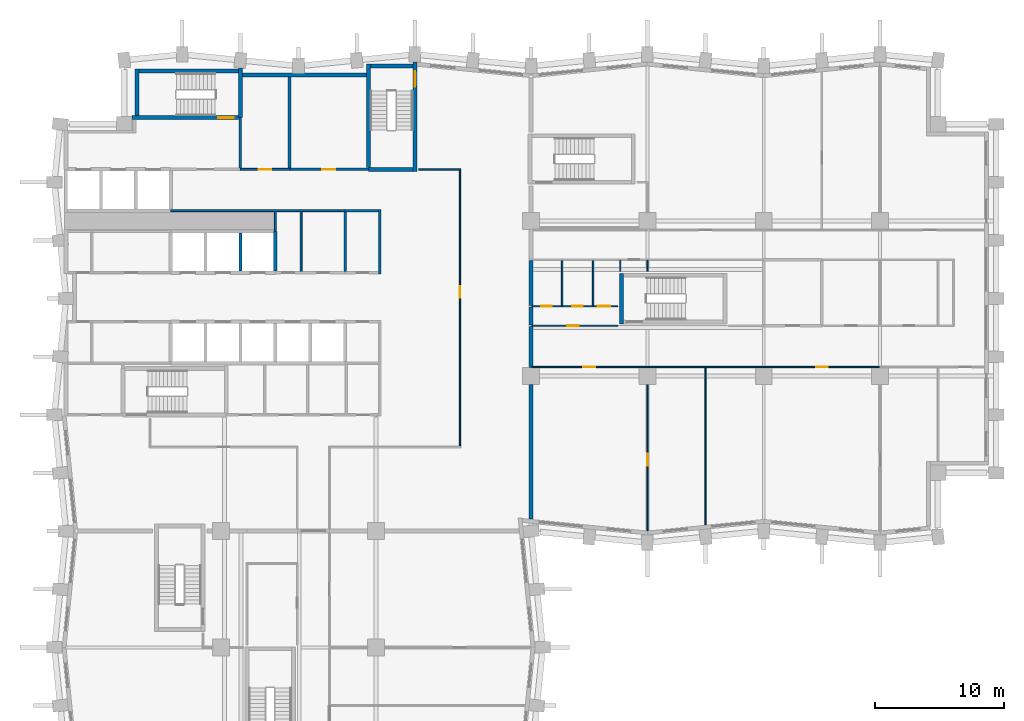
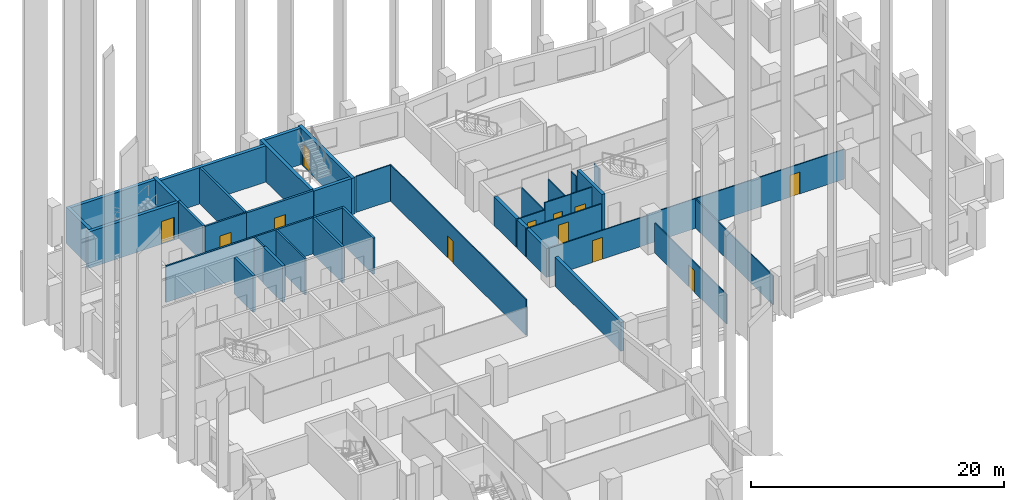
# One storey, part 7 of 12: 41 walls, 12 doors, 12 openings.
"""IFC4 building model written with IfcOpenShell, lengths in metres."""

from ifc_helpers import new_model, si_unit, direction, frame, frame_2d, origin, place, context, subcontext, project, spatial, rectangle, extrude, material, layer, layer_set, type_object, element, fill, save


model = new_model("IFC4")

# Units and contexts
model_context = context("Model", 3, precision=1e-05, world=origin(), true_north=direction((0.0, 1.0)))
body_context = subcontext(model_context, "Body", "Model", "MODEL_VIEW")
ifc_project = project(units=[si_unit("LENGTHUNIT", "METRE"), si_unit("AREAUNIT", "SQUARE_METRE"), si_unit("VOLUMEUNIT", "CUBIC_METRE"), si_unit("PLANEANGLEUNIT", "RADIAN"), si_unit("MASSUNIT", "GRAM", prefix="KILO")], contexts=[model_context])

# Site, building, storey
site_placement = place(None, origin())
site = spatial("IfcSite", under=ifc_project, at=site_placement, CompositionType="ELEMENT")
building_placement = place(site_placement, origin())
building = spatial("IfcBuilding", under=site, at=building_placement, Name="Brondeck Convention Tower", CompositionType="ELEMENT")
storey_placement = place(building_placement, frame((0.0, 0.0, 88.5)))
storey = spatial("IfcBuildingStorey", under=building, at=storey_placement, Name="L20", CompositionType="ELEMENT", Elevation=88.5)

# Walls
ifc_material_1 = material(Name="Concrete compartment wall C30/37", Category="concrete")
ifc_layer_1 = layer(ifc_material_1, 0.300048828125)
ifc_layer_set_1 = layer_set([ifc_layer_1], Name="Compartment wall 300")
wall_type_1 = type_object("IfcWallType", Name="Compartment wall 300", PredefinedType="PARTITIONING", material=ifc_layer_set_1)
wall_1_placement = place(storey_placement, frame((36.0, 27.924560546875, 0.0), z_axis=(0.0, 0.0, 1.0), x_axis=(0.0, 1.0, 0.0)))
element("IfcWall", 1, at=wall_1_placement, inside=storey, type_object=wall_type_1, Name="FLR-L20-W024", PredefinedType="PARTITIONING", context=body_context, shape_type="SweptSolid", body=[
    extrude(rectangle(XDim=10.42041015625, YDim=0.300048828125, at=frame_2d((5.210205078125, 0.0))), origin(), (0.0, 0.0, 1.0), 2.780029296875),
])
wall_2_placement = place(storey_placement, frame((36.0, 39.669921875, 0.0), z_axis=(0.0, 0.0, 1.0), x_axis=(0.0, 1.0, 0.0)))
element("IfcWall", 2, at=wall_2_placement, inside=storey, type_object=wall_type_1, Name="FLR-L20-W038", PredefinedType="PARTITIONING", context=body_context, shape_type="SweptSolid", body=[
    extrude(rectangle(XDim=3.18017578125, YDim=0.300048828125, at=frame_2d((1.590087890625, 0.0))), origin(), (0.0, 0.0, 1.0), 2.780029296875),
])
wall_3_placement = place(storey_placement, frame((36.0, 42.949951171875, 0.0), z_axis=(0.0, 0.0, 1.0), x_axis=(0.0, 1.0, 0.0)))
element("IfcWall", 3, at=wall_3_placement, inside=storey, type_object=wall_type_1, Name="FLR-L20-W045", PredefinedType="PARTITIONING", context=body_context, shape_type="SweptSolid", body=[
    extrude(rectangle(XDim=1.400146484375, YDim=0.300048828125, at=frame_2d((0.7001953125, 0.0))), origin(), (0.0, 0.0, 1.0), 2.780029296875),
])
wall_4_placement = place(storey_placement, frame((36.0, 44.449951171875, 0.0), z_axis=(0.0, 0.0, 1.0), x_axis=(0.0, 1.0, 0.0)))
element("IfcWall", 4, at=wall_4_placement, inside=storey, type_object=wall_type_1, Name="FLR-L20-W051", PredefinedType="PARTITIONING", context=body_context, shape_type="SweptSolid", body=[
    extrude(rectangle(XDim=3.5, YDim=0.300048828125, at=frame_2d((1.75, 0.0))), origin(), (0.0, 0.0, 1.0), 2.780029296875),
])
ifc_material_2 = material(Name="Concrete C70/85", Category="concrete")
ifc_layer_2 = layer(ifc_material_2, 0.199951171875)
ifc_layer_set_2 = layer_set([ifc_layer_2], Name="Core beam-seat wall 200 Concrete C70/85")
wall_type_2 = type_object("IfcWallType", Name="Core beam-seat wall 200 Concrete C70/85", PredefinedType="SHEAR", material=ifc_layer_set_2)
wall_5_placement = place(storey_placement, frame((24.300048828125, 46.89990234375, 0.0), z_axis=(0.0, 0.0, 1.0), x_axis=(0.0, 1.0, 0.0)))
element("IfcWall", 5, at=wall_5_placement, inside=storey, type_object=wall_type_2, Name="L20 core wall", PredefinedType="SHEAR", context=body_context, shape_type="SweptSolid", body=[
    extrude(rectangle(XDim=5.0, YDim=0.199951171875, at=frame_2d((2.5, 0.0))), origin(), (0.0, 0.0, 1.0), 3.5),
])
ifc_layer_3 = layer(ifc_material_2, 0.300048828125)
ifc_layer_set_3 = layer_set([ifc_layer_3], Name="Core outer wall 300 Concrete C70/85")
wall_type_3 = type_object("IfcWallType", Name="Core outer wall 300 Concrete C70/85", PredefinedType="SHEAR", material=ifc_layer_set_3)
wall_6_placement = place(storey_placement, frame((13.64990234375, 62.300048828125, 0.0), z_axis=(0.0, 0.0, 1.0), x_axis=(1.0, 0.0, 0.0)))
element("IfcWall", 6, at=wall_6_placement, inside=storey, type_object=wall_type_3, Name="L20 core wall", PredefinedType="SHEAR", context=body_context, shape_type="SweptSolid", body=[
    extrude(rectangle(XDim=9.60009765625, YDim=0.300048828125, at=frame_2d((4.800048828125, 0.0))), origin(), (0.0, 0.0, 1.0), 3.5),
])
ifc_material_3 = material(Name="Fire-rated gypsum board partition")
ifc_layer_4 = layer(ifc_material_3, 0.14990234375)
ifc_layer_set_4 = layer_set([ifc_layer_4], Name="Core partition 150 EI 60")
wall_type_4 = type_object("IfcWallType", Name="Core partition 150 EI 60", PredefinedType="PARTITIONING", material=ifc_layer_set_4)
wall_7_placement = place(storey_placement, frame((8.10009765625, 51.800048828125, 0.0), z_axis=(0.0, 0.0, 1.0), x_axis=(1.0, 0.0, 0.0)))
element("IfcWall", 7, at=wall_7_placement, inside=storey, type_object=wall_type_4, Name="L20 core wall", PredefinedType="PARTITIONING", context=body_context, shape_type="SweptSolid", body=[
    extrude(rectangle(XDim=13.5, YDim=0.14990234375, at=frame_2d((6.75, 0.0))), origin(), (0.0, 0.0, 1.0), 3.5),
])

# Wall, opening, door
wall_8_placement = place(storey_placement, frame((13.5, 55.0, 0.0), z_axis=(0.0, 0.0, 1.0), x_axis=(1.0, 0.0, 0.0)))
wall_8 = element("IfcWall", 8, at=wall_8_placement, inside=storey, type_object=wall_type_4, Name="L20 core wall", PredefinedType="PARTITIONING", context=body_context, shape_type="SweptSolid", body=[
    extrude(rectangle(XDim=3.800048828125, YDim=0.14990234375, at=frame_2d((1.89990234375, 0.0))), origin(), (0.0, 0.0, 1.0), 3.5),
])
opening_1_placement = place(wall_8_placement, frame((1.39990234375, 0.0, 0.0)))
opening_1 = element("IfcOpeningElement", 9, at=opening_1_placement, cuts=wall_8, Name="Opening C14-15", PredefinedType="OPENING", context=body_context, shape_type="SweptSolid", body=[
    extrude(rectangle(XDim=1.0, YDim=2.10009765625, at=frame_2d((0.5, 1.050048828125))), frame((0.0, 0.0849609375, 0.0), z_axis=(0.0, -1.0, 0.0), x_axis=(1.0, 0.0, 0.0)), (0.0, 0.0, 1.0), 0.169921875),
])
ifc_material_4 = material(Name="Steel fire door", Category="steel")
door_type_1 = type_object("IfcDoorType", Name="Room door 1000x2100 EI 60", OperationType="NOTDEFINED", PredefinedType="DOOR", material=ifc_material_4)
door_1_placement = place(opening_1_placement, origin())
door_1 = element("IfcDoor", 10, at=door_1_placement, inside=storey, type_object=door_type_1, Name="L20 Room door NE-1", OperationType="SINGLE_SWING_LEFT", OverallHeight=2.10009765625, OverallWidth=1.0, PredefinedType="DOOR", context=body_context, shape_type="SweptSolid", body=[
    extrude(rectangle(XDim=1.0, YDim=2.10009765625, at=frame_2d((0.5, 1.050048828125))), frame((0.0, 0.02490234375, 0.0), z_axis=(0.0, -1.0, 0.0), x_axis=(1.0, 0.0, 0.0)), (0.0, 0.0, 1.0), 0.050048828125),
])
fill(opening_1, door_1)

# Walls
wall_9_placement = place(storey_placement, frame((16.199951171875, 50.199951171875, 0.0), z_axis=(0.0, 0.0, 1.0), x_axis=(0.0, 1.0, 0.0)))
element("IfcWall", 11, at=wall_9_placement, inside=storey, type_object=wall_type_4, Name="L20 core wall", PredefinedType="PARTITIONING", context=body_context, shape_type="SweptSolid", body=[
    extrude(rectangle(XDim=1.525146484375, YDim=0.14990234375, at=frame_2d((0.7626953125, 0.0))), origin(), (0.0, 0.0, 1.0), 3.5),
])
wall_10_placement = place(storey_placement, frame((18.199951171875, 47.10009765625, 0.0), z_axis=(0.0, 0.0, 1.0), x_axis=(0.0, 1.0, 0.0)))
element("IfcWall", 12, at=wall_10_placement, inside=storey, type_object=wall_type_4, Name="L20 core wall", PredefinedType="PARTITIONING", context=body_context, shape_type="SweptSolid", body=[
    extrude(rectangle(XDim=4.625, YDim=0.14990234375, at=frame_2d((2.3125, 0.0))), origin(), (0.0, 0.0, 1.0), 3.5),
])
ifc_layer_5 = layer(ifc_material_3, 0.199951171875)
ifc_layer_set_5 = layer_set([ifc_layer_5], Name="Firefighting lobby wall 200 EI 120")
wall_type_5 = type_object("IfcWallType", Name="Firefighting lobby wall 200 EI 120", PredefinedType="PARTITIONING", material=ifc_layer_set_5)
wall_11_placement = place(storey_placement, frame((13.5, 55.10009765625, 0.0), z_axis=(0.0, 0.0, 1.0), x_axis=(0.0, 1.0, 0.0)))
element("IfcWall", 13, at=wall_11_placement, inside=storey, type_object=wall_type_5, Name="L20 core wall", PredefinedType="PARTITIONING", context=body_context, shape_type="SweptSolid", body=[
    extrude(rectangle(XDim=3.89990234375, YDim=0.199951171875, at=frame_2d((1.949951171875, 0.0))), origin(), (0.0, 0.0, 1.0), 3.5),
])
ifc_layer_6 = layer(ifc_material_2, 0.25)
ifc_layer_set_6 = layer_set([ifc_layer_6], Name="Lift shaft wall 250 Concrete C70/85")
wall_type_6 = type_object("IfcWallType", Name="Lift shaft wall 250 Concrete C70/85", PredefinedType="SHEAR", material=ifc_layer_set_6)
wall_12_placement = place(storey_placement, frame((13.5, 47.125, 0.0), z_axis=(0.0, 0.0, 1.0), x_axis=(0.0, 1.0, 0.0)))
element("IfcWall", 14, at=wall_12_placement, inside=storey, type_object=wall_type_6, Name="L20 core wall", PredefinedType="SHEAR", context=body_context, shape_type="SweptSolid", body=[
    extrude(rectangle(XDim=2.949951171875, YDim=0.25, at=frame_2d((1.47509765625, 0.0))), origin(), (0.0, 0.0, 1.0), 3.5),
])
wall_13_placement = place(storey_placement, frame((16.199951171875, 47.125, 0.0), z_axis=(0.0, 0.0, 1.0), x_axis=(0.0, 1.0, 0.0)))
element("IfcWall", 15, at=wall_13_placement, inside=storey, type_object=wall_type_6, Name="L20 core wall", PredefinedType="SHEAR", context=body_context, shape_type="SweptSolid", body=[
    extrude(rectangle(XDim=3.074951171875, YDim=0.25, at=frame_2d((1.53759765625, 0.0))), origin(), (0.0, 0.0, 1.0), 3.5),
])
ifc_layer_7 = layer(ifc_material_3, 0.199951171875)
ifc_layer_set_7 = layer_set([ifc_layer_7], Name="Riser wall 200 EI 120")
wall_type_7 = type_object("IfcWallType", Name="Riser wall 200 EI 120", PredefinedType="PARTITIONING", material=ifc_layer_set_7)
wall_14_placement = place(storey_placement, frame((21.60009765625, 51.800048828125, 0.0), z_axis=(0.0, 0.0, 1.0), x_axis=(1.0, 0.0, 0.0)))
element("IfcWall", 16, at=wall_14_placement, inside=storey, type_object=wall_type_7, Name="L20 core wall", PredefinedType="PARTITIONING", context=body_context, shape_type="SweptSolid", body=[
    extrude(rectangle(XDim=2.599853515625, YDim=0.199951171875, at=frame_2d((1.2998046875, 0.0))), origin(), (0.0, 0.0, 1.0), 3.5),
])

# Wall, opening, door
wall_15_placement = place(storey_placement, frame((17.300048828125, 55.0, 0.0), z_axis=(0.0, 0.0, 1.0), x_axis=(1.0, 0.0, 0.0)))
wall_15 = element("IfcWall", 17, at=wall_15_placement, inside=storey, type_object=wall_type_7, Name="L20 core wall", PredefinedType="PARTITIONING", context=body_context, shape_type="SweptSolid", body=[
    extrude(rectangle(XDim=6.099853515625, YDim=0.199951171875, at=frame_2d((3.0498046875, 0.0))), origin(), (0.0, 0.0, 1.0), 3.5),
])
opening_2_placement = place(wall_15_placement, frame((2.550048828125, 0.0, 0.0)))
opening_2 = element("IfcOpeningElement", 18, at=opening_2_placement, cuts=wall_15, Name="Opening C14-16", PredefinedType="OPENING", context=body_context, shape_type="SweptSolid", body=[
    extrude(rectangle(XDim=1.0, YDim=2.10009765625, at=frame_2d((0.5, 1.050048828125))), frame((0.0, 0.10986328125, 0.0), z_axis=(0.0, -1.0, 0.0), x_axis=(1.0, 0.0, 0.0)), (0.0, 0.0, 1.0), 0.219970703125),
])
door_type_2 = type_object("IfcDoorType", Name="Riser door 1000x2100 EI 120", OperationType="NOTDEFINED", PredefinedType="DOOR", material=ifc_material_4)
door_2_placement = place(opening_2_placement, origin())
door_2 = element("IfcDoor", 19, at=door_2_placement, inside=storey, type_object=door_type_2, Name="L20 Riser door NE-2", OperationType="SINGLE_SWING_RIGHT", OverallHeight=2.10009765625, OverallWidth=1.0, PredefinedType="DOOR", context=body_context, shape_type="SweptSolid", body=[
    extrude(rectangle(XDim=1.0, YDim=2.10009765625, at=frame_2d((0.5, 1.050048828125))), frame((0.0, 0.02490234375, 0.0), z_axis=(0.0, -1.0, 0.0), x_axis=(1.0, 0.0, 0.0)), (0.0, 0.0, 1.0), 0.050048828125),
])
fill(opening_2, door_2)

# Walls
wall_16_placement = place(storey_placement, frame((17.300048828125, 55.10009765625, 0.0), z_axis=(0.0, 0.0, 1.0), x_axis=(0.0, 1.0, 0.0)))
element("IfcWall", 20, at=wall_16_placement, inside=storey, type_object=wall_type_7, Name="L20 core wall", PredefinedType="PARTITIONING", context=body_context, shape_type="SweptSolid", body=[
    extrude(rectangle(XDim=7.0498046875, YDim=0.199951171875, at=frame_2d((3.52490234375, 0.0))), origin(), (0.0, 0.0, 1.0), 3.5),
])
wall_17_placement = place(storey_placement, frame((21.60009765625, 47.10009765625, 0.0), z_axis=(0.0, 0.0, 1.0), x_axis=(0.0, 1.0, 0.0)))
element("IfcWall", 21, at=wall_17_placement, inside=storey, type_object=wall_type_7, Name="L20 core wall", PredefinedType="PARTITIONING", context=body_context, shape_type="SweptSolid", body=[
    extrude(rectangle(XDim=4.599853515625, YDim=0.199951171875, at=frame_2d((2.2998046875, 0.0))), origin(), (0.0, 0.0, 1.0), 3.5),
])

# Wall, opening, door
ifc_material_5 = material(Name="Gypsum board partition on steel studs", Category="steel")
ifc_layer_8 = layer(ifc_material_5, 0.10009765625)
ifc_layer_set_8 = layer_set([ifc_layer_8], Name="Room partition 100")
wall_type_8 = type_object("IfcWallType", Name="Room partition 100", PredefinedType="PARTITIONING", material=ifc_layer_set_8)
wall_18_placement = place(storey_placement, frame((45.0, 38.344970703125, 0.0), z_axis=(0.0, 0.0, 1.0), x_axis=(0.0, -1.0, 0.0)))
wall_18 = element("IfcWall", 22, at=wall_18_placement, inside=storey, type_object=wall_type_8, Name="FLR-L20-W029", PredefinedType="PARTITIONING", context=body_context, shape_type="SweptSolid", body=[
    extrude(rectangle(XDim=11.320556640625, YDim=0.10009765625, at=frame_2d((5.66015625, 0.0))), origin(), (0.0, 0.0, 1.0), 2.8798828125),
])
opening_3_placement = place(wall_18_placement, frame((5.3701171875, 0.0, 0.0)))
opening_3 = element("IfcOpeningElement", 23, at=opening_3_placement, cuts=wall_18, Name="Opening OF-A-011", PredefinedType="OPENING", context=body_context, shape_type="SweptSolid", body=[
    extrude(rectangle(XDim=0.89990234375, YDim=2.10009765625, at=frame_2d((0.449951171875, 1.050048828125))), frame((0.0, 0.06005859375, 0.0), z_axis=(0.0, -1.0, 0.0), x_axis=(1.0, 0.0, 0.0)), (0.0, 0.0, 1.0), 0.1201171875),
])
ifc_material_6 = material(Name="Solid timber door leaf", Category="wood")
door_type_3 = type_object("IfcDoorType", Name="Single door 900", OperationType="NOTDEFINED", PredefinedType="DOOR", material=ifc_material_6)
door_3_placement = place(opening_3_placement, origin())
door_3 = element("IfcDoor", 24, at=door_3_placement, inside=storey, type_object=door_type_3, Name="Door OF-A-011", OperationType="SINGLE_SWING_LEFT", OverallHeight=2.10009765625, OverallWidth=0.89990234375, PredefinedType="DOOR", context=body_context, shape_type="SweptSolid", body=[
    extrude(rectangle(XDim=0.89990234375, YDim=2.10009765625, at=frame_2d((0.449951171875, 1.050048828125))), frame((0.0, 0.02490234375, 0.0), z_axis=(0.0, -1.0, 0.0), x_axis=(1.0, 0.0, 0.0)), (0.0, 0.0, 1.0), 0.050048828125),
])
fill(opening_3, door_3)

# Wall
wall_19_placement = place(storey_placement, frame((49.5, 39.64990234375, 0.0), z_axis=(0.0, 0.0, 1.0), x_axis=(0.0, -1.0, 0.0)))
element("IfcWall", 25, at=wall_19_placement, inside=storey, type_object=wall_type_8, Name="FLR-L20-W031", PredefinedType="PARTITIONING", context=body_context, shape_type="SweptSolid", body=[
    extrude(rectangle(XDim=12.17529296875, YDim=0.10009765625, at=frame_2d((6.087646484375, 0.0))), origin(), (0.0, 0.0, 1.0), 2.780029296875),
])

# Wall, opening, door
wall_20_placement = place(storey_placement, frame((45.0, 39.699951171875, 0.0), z_axis=(0.0, 0.0, 1.0), x_axis=(-1.0, 0.0, 0.0)))
wall_20 = element("IfcWall", 26, at=wall_20_placement, inside=storey, type_object=wall_type_8, Name="FLR-L20-W033", PredefinedType="PARTITIONING", context=body_context, shape_type="SweptSolid", body=[
    extrude(rectangle(XDim=8.949951171875, YDim=0.10009765625, at=frame_2d((4.47509765625, 0.0))), origin(), (0.0, 0.0, 1.0), 2.780029296875),
])
opening_4_placement = place(wall_20_placement, frame((4.050048828125, 0.0, 0.0)))
opening_4 = element("IfcOpeningElement", 27, at=opening_4_placement, cuts=wall_20, Name="Opening OF-A-010", PredefinedType="OPENING", context=body_context, shape_type="SweptSolid", body=[
    extrude(rectangle(XDim=0.89990234375, YDim=2.10009765625, at=frame_2d((0.449951171875, 1.050048828125))), frame((0.0, 0.06005859375, 0.0), z_axis=(0.0, -1.0, 0.0), x_axis=(1.0, 0.0, 0.0)), (0.0, 0.0, 1.0), 0.1201171875),
])
door_4_placement = place(opening_4_placement, origin())
door_4 = element("IfcDoor", 28, at=door_4_placement, inside=storey, type_object=door_type_3, Name="Door OF-A-010", OperationType="SINGLE_SWING_LEFT", OverallHeight=2.10009765625, OverallWidth=0.89990234375, PredefinedType="DOOR", context=body_context, shape_type="SweptSolid", body=[
    extrude(rectangle(XDim=0.89990234375, YDim=2.10009765625, at=frame_2d((0.449951171875, 1.050048828125))), frame((0.0, 0.02490234375, 0.0), z_axis=(0.0, -1.0, 0.0), x_axis=(1.0, 0.0, 0.0)), (0.0, 0.0, 1.0), 0.050048828125),
])
fill(opening_4, door_4)

# Wall
wall_21_placement = place(storey_placement, frame((49.5, 39.699951171875, 0.0), z_axis=(0.0, 0.0, 1.0), x_axis=(-1.0, 0.0, 0.0)))
element("IfcWall", 29, at=wall_21_placement, inside=storey, type_object=wall_type_8, Name="FLR-L20-W034", PredefinedType="PARTITIONING", context=body_context, shape_type="SweptSolid", body=[
    extrude(rectangle(XDim=4.5, YDim=0.10009765625, at=frame_2d((2.25, 0.0))), origin(), (0.0, 0.0, 1.0), 2.8798828125),
])

# Wall, opening, door
wall_22_placement = place(storey_placement, frame((63.0, 39.699951171875, 0.0), z_axis=(0.0, 0.0, 1.0), x_axis=(-1.0, 0.0, 0.0)))
wall_22 = element("IfcWall", 30, at=wall_22_placement, inside=storey, type_object=wall_type_8, Name="FLR-L20-W035", PredefinedType="PARTITIONING", context=body_context, shape_type="SweptSolid", body=[
    extrude(rectangle(XDim=13.5, YDim=0.10009765625, at=frame_2d((6.75, 0.0))), origin(), (0.0, 0.0, 1.0), 2.8798828125),
])
opening_5_placement = place(wall_22_placement, frame((4.050048828125, 0.0, 0.0)))
opening_5 = element("IfcOpeningElement", 31, at=opening_5_placement, cuts=wall_22, Name="Opening OF-A-012", PredefinedType="OPENING", context=body_context, shape_type="SweptSolid", body=[
    extrude(rectangle(XDim=0.89990234375, YDim=2.10009765625, at=frame_2d((0.449951171875, 1.050048828125))), frame((0.0, 0.06005859375, 0.0), z_axis=(0.0, -1.0, 0.0), x_axis=(1.0, 0.0, 0.0)), (0.0, 0.0, 1.0), 0.1201171875),
])
door_5_placement = place(opening_5_placement, origin())
door_5 = element("IfcDoor", 32, at=door_5_placement, inside=storey, type_object=door_type_3, Name="Door OF-A-012", OperationType="SINGLE_SWING_LEFT", OverallHeight=2.10009765625, OverallWidth=0.89990234375, PredefinedType="DOOR", context=body_context, shape_type="SweptSolid", body=[
    extrude(rectangle(XDim=0.89990234375, YDim=2.10009765625, at=frame_2d((0.449951171875, 1.050048828125))), frame((0.0, 0.02490234375, 0.0), z_axis=(0.0, -1.0, 0.0), x_axis=(1.0, 0.0, 0.0)), (0.0, 0.0, 1.0), 0.050048828125),
])
fill(opening_5, door_5)

wall_23_placement = place(storey_placement, frame((36.050048828125, 42.89990234375, 0.0), z_axis=(0.0, 0.0, 1.0), x_axis=(1.0, 0.0, 0.0)))
wall_23 = element("IfcWall", 33, at=wall_23_placement, inside=storey, type_object=wall_type_8, Name="FLR-L20-W039", PredefinedType="PARTITIONING", context=body_context, shape_type="SweptSolid", body=[
    extrude(rectangle(XDim=6.64990234375, YDim=0.10009765625, at=frame_2d((3.324951171875, 0.0))), origin(), (0.0, 0.0, 1.0), 2.780029296875),
])
opening_6_placement = place(wall_23_placement, frame((2.75, 0.0, 0.0)))
opening_6 = element("IfcOpeningElement", 34, at=opening_6_placement, cuts=wall_23, Name="Opening OF-A-002", PredefinedType="OPENING", context=body_context, shape_type="SweptSolid", body=[
    extrude(rectangle(XDim=0.89990234375, YDim=2.10009765625, at=frame_2d((0.449951171875, 1.050048828125))), frame((0.0, 0.06005859375, 0.0), z_axis=(0.0, -1.0, 0.0), x_axis=(1.0, 0.0, 0.0)), (0.0, 0.0, 1.0), 0.1201171875),
])
door_6_placement = place(opening_6_placement, origin())
door_6 = element("IfcDoor", 35, at=door_6_placement, inside=storey, type_object=door_type_3, Name="Door OF-A-002", OperationType="SINGLE_SWING_LEFT", OverallHeight=2.10009765625, OverallWidth=0.89990234375, PredefinedType="DOOR", context=body_context, shape_type="SweptSolid", body=[
    extrude(rectangle(XDim=0.89990234375, YDim=2.10009765625, at=frame_2d((0.449951171875, 1.050048828125))), frame((0.0, 0.02490234375, 0.0), z_axis=(0.0, -1.0, 0.0), x_axis=(1.0, 0.0, 0.0)), (0.0, 0.0, 1.0), 0.050048828125),
])
fill(opening_6, door_6)

wall_24_placement = place(storey_placement, frame((36.050048828125, 44.39990234375, 0.0), z_axis=(0.0, 0.0, 1.0), x_axis=(1.0, 0.0, 0.0)))
wall_24 = element("IfcWall", 36, at=wall_24_placement, inside=storey, type_object=wall_type_8, Name="FLR-L20-W048", PredefinedType="PARTITIONING", context=body_context, shape_type="SweptSolid", body=[
    extrude(rectangle(XDim=2.349853515625, YDim=0.10009765625, at=frame_2d((1.1748046875, 0.0))), origin(), (0.0, 0.0, 1.0), 2.780029296875),
])
opening_7_placement = place(wall_24_placement, frame((0.75, 0.0, 0.0)))
opening_7 = element("IfcOpeningElement", 37, at=opening_7_placement, cuts=wall_24, Name="Opening OF-A-003", PredefinedType="OPENING", context=body_context, shape_type="SweptSolid", body=[
    extrude(rectangle(XDim=0.800048828125, YDim=2.10009765625, at=frame_2d((0.39990234375, 1.050048828125))), frame((0.0, 0.06005859375, 0.0), z_axis=(0.0, -1.0, 0.0), x_axis=(1.0, 0.0, 0.0)), (0.0, 0.0, 1.0), 0.1201171875),
])
door_type_4 = type_object("IfcDoorType", Name="En-suite door 800", OperationType="NOTDEFINED", PredefinedType="DOOR", material=ifc_material_6)
door_7_placement = place(opening_7_placement, origin())
door_7 = element("IfcDoor", 38, at=door_7_placement, inside=storey, type_object=door_type_4, Name="Door OF-A-003", OperationType="SINGLE_SWING_LEFT", OverallHeight=2.10009765625, OverallWidth=0.800048828125, PredefinedType="DOOR", context=body_context, shape_type="SweptSolid", body=[
    extrude(rectangle(XDim=0.800048828125, YDim=2.10009765625, at=frame_2d((0.39990234375, 1.050048828125))), frame((0.0, 0.02490234375, 0.0), z_axis=(0.0, -1.0, 0.0), x_axis=(1.0, 0.0, 0.0)), (0.0, 0.0, 1.0), 0.050048828125),
])
fill(opening_7, door_7)

wall_25_placement = place(storey_placement, frame((38.39990234375, 44.39990234375, 0.0), z_axis=(0.0, 0.0, 1.0), x_axis=(1.0, 0.0, 0.0)))
wall_25 = element("IfcWall", 39, at=wall_25_placement, inside=storey, type_object=wall_type_8, Name="FLR-L20-W049", PredefinedType="PARTITIONING", context=body_context, shape_type="SweptSolid", body=[
    extrude(rectangle(XDim=2.400146484375, YDim=0.10009765625, at=frame_2d((1.2001953125, 0.0))), origin(), (0.0, 0.0, 1.0), 3.47998046875),
])
opening_8_placement = place(wall_25_placement, frame((0.800048828125, 0.0, 0.0)))
opening_8 = element("IfcOpeningElement", 40, at=opening_8_placement, cuts=wall_25, Name="Opening OF-A-004", PredefinedType="OPENING", context=body_context, shape_type="SweptSolid", body=[
    extrude(rectangle(XDim=0.800048828125, YDim=2.10009765625, at=frame_2d((0.39990234375, 1.050048828125))), frame((0.0, 0.06005859375, 0.0), z_axis=(0.0, -1.0, 0.0), x_axis=(1.0, 0.0, 0.0)), (0.0, 0.0, 1.0), 0.1201171875),
])
door_8_placement = place(opening_8_placement, origin())
door_8 = element("IfcDoor", 41, at=door_8_placement, inside=storey, type_object=door_type_4, Name="Door OF-A-004", OperationType="SINGLE_SWING_RIGHT", OverallHeight=2.10009765625, OverallWidth=0.800048828125, PredefinedType="DOOR", context=body_context, shape_type="SweptSolid", body=[
    extrude(rectangle(XDim=0.800048828125, YDim=2.10009765625, at=frame_2d((0.39990234375, 1.050048828125))), frame((0.0, 0.02490234375, 0.0), z_axis=(0.0, -1.0, 0.0), x_axis=(1.0, 0.0, 0.0)), (0.0, 0.0, 1.0), 0.050048828125),
])
fill(opening_8, door_8)

wall_26_placement = place(storey_placement, frame((40.800048828125, 44.39990234375, 0.0), z_axis=(0.0, 0.0, 1.0), x_axis=(1.0, 0.0, 0.0)))
wall_26 = element("IfcWall", 42, at=wall_26_placement, inside=storey, type_object=wall_type_8, Name="FLR-L20-W050", PredefinedType="PARTITIONING", context=body_context, shape_type="SweptSolid", body=[
    extrude(rectangle(XDim=1.89990234375, YDim=0.10009765625, at=frame_2d((0.949951171875, 0.0))), origin(), (0.0, 0.0, 1.0), 3.47998046875),
])
opening_9_placement = place(wall_26_placement, frame((0.375, 0.0, 0.0)))
opening_9 = element("IfcOpeningElement", 43, at=opening_9_placement, cuts=wall_26, Name="Opening OF-A-005", PredefinedType="OPENING", context=body_context, shape_type="SweptSolid", body=[
    extrude(rectangle(XDim=0.949951171875, YDim=2.10009765625, at=frame_2d((0.47509765625, 1.050048828125))), frame((0.0, 0.06005859375, 0.0), z_axis=(0.0, -1.0, 0.0), x_axis=(1.0, 0.0, 0.0)), (0.0, 0.0, 1.0), 0.1201171875),
])
door_type_5 = type_object("IfcDoorType", Name="Accessible door 950", OperationType="NOTDEFINED", PredefinedType="DOOR", material=ifc_material_6)
door_9_placement = place(opening_9_placement, origin())
door_9 = element("IfcDoor", 44, at=door_9_placement, inside=storey, type_object=door_type_5, Name="Door OF-A-005", OperationType="SINGLE_SWING_LEFT", OverallHeight=2.10009765625, OverallWidth=0.949951171875, PredefinedType="DOOR", context=body_context, shape_type="SweptSolid", body=[
    extrude(rectangle(XDim=0.949951171875, YDim=2.10009765625, at=frame_2d((0.47509765625, 1.050048828125))), frame((0.0, 0.02490234375, 0.0), z_axis=(0.0, -1.0, 0.0), x_axis=(1.0, 0.0, 0.0)), (0.0, 0.0, 1.0), 0.050048828125),
])
fill(opening_9, door_9)

# Walls
for number, where, z_axis, x_axis, name in (
    (45, (38.39990234375, 47.949951171875, 0.0), (0.0, 0.0, 1.0), (0.0, -1.0, 0.0), "FLR-L20-W053"),
    (46, (40.800048828125, 47.949951171875, 0.0), (0.0, 0.0, 1.0), (0.0, -1.0, 0.0), "FLR-L20-W054"),
):
    element("IfcWall", number, at=place(storey_placement, frame(where, z_axis=z_axis, x_axis=x_axis)), inside=storey, type_object=wall_type_8, Name=name, PredefinedType="PARTITIONING", context=body_context, shape_type="SweptSolid", body=[
        extrude(rectangle(XDim=3.5, YDim=0.10009765625, at=frame_2d((1.75, 0.0))), origin(), (0.0, 0.0, 1.0), 2.780029296875),
    ])
for number, where, z_axis, x_axis, name in (
    (47, (42.89990234375, 47.949951171875, 0.0), (0.0, 0.0, 1.0), (0.0, -1.0, 0.0), "FLR-L20-W055"),
    (48, (45.0, 47.949951171875, 0.0), (0.0, 0.0, 1.0), (0.0, -1.0, 0.0), "FLR-L20-W056"),
):
    element("IfcWall", number, at=place(storey_placement, frame(where, z_axis=z_axis, x_axis=x_axis)), inside=storey, type_object=wall_type_8, Name=name, PredefinedType="PARTITIONING", context=body_context, shape_type="SweptSolid", body=[
        extrude(rectangle(XDim=0.849853515625, YDim=0.10009765625, at=frame_2d((0.4248046875, 0.0))), origin(), (0.0, 0.0, 1.0), 2.780029296875),
    ])

# Wall, opening, door
wall_27_placement = place(storey_placement, frame((30.5, 54.949951171875, 0.0), z_axis=(0.0, 0.0, 1.0), x_axis=(0.0, -1.0, 0.0)))
wall_27 = element("IfcWall", 49, at=wall_27_placement, inside=storey, type_object=wall_type_8, Name="FLR-L20-W077", PredefinedType="PARTITIONING", context=body_context, shape_type="SweptSolid", body=[
    extrude(rectangle(XDim=21.39990234375, YDim=0.10009765625, at=frame_2d((10.699951171875, 0.0))), origin(), (0.0, 0.0, 1.0), 3.47998046875),
])
opening_10_placement = place(wall_27_placement, frame((9.0, 0.0, 0.0)))
opening_10 = element("IfcOpeningElement", 50, at=opening_10_placement, cuts=wall_27, Name="Opening OF-A-023", PredefinedType="OPENING", context=body_context, shape_type="SweptSolid", body=[
    extrude(rectangle(XDim=0.89990234375, YDim=2.10009765625, at=frame_2d((0.449951171875, 1.050048828125))), frame((0.0, 0.06005859375, 0.0), z_axis=(0.0, -1.0, 0.0), x_axis=(1.0, 0.0, 0.0)), (0.0, 0.0, 1.0), 0.1201171875),
])
door_10_placement = place(opening_10_placement, origin())
door_10 = element("IfcDoor", 51, at=door_10_placement, inside=storey, type_object=door_type_3, Name="Door OF-A-023", OperationType="SINGLE_SWING_LEFT", OverallHeight=2.10009765625, OverallWidth=0.89990234375, PredefinedType="DOOR", context=body_context, shape_type="SweptSolid", body=[
    extrude(rectangle(XDim=0.89990234375, YDim=2.10009765625, at=frame_2d((0.449951171875, 1.050048828125))), frame((0.0, 0.02490234375, 0.0), z_axis=(0.0, -1.0, 0.0), x_axis=(1.0, 0.0, 0.0)), (0.0, 0.0, 1.0), 0.050048828125),
])
fill(opening_10, door_10)

# Walls
wall_28_placement = place(storey_placement, frame((27.300048828125, 55.0, 0.0), z_axis=(0.0, 0.0, 1.0), x_axis=(1.0, 0.0, 0.0)))
element("IfcWall", 52, at=wall_28_placement, inside=storey, type_object=wall_type_8, Name="FLR-L20-W078", PredefinedType="PARTITIONING", context=body_context, shape_type="SweptSolid", body=[
    extrude(rectangle(XDim=3.25, YDim=0.10009765625, at=frame_2d((1.625, 0.0))), origin(), (0.0, 0.0, 1.0), 3.47998046875),
])
ifc_layer_9 = layer(ifc_material_2, 0.300048828125)
ifc_layer_set_9 = layer_set([ifc_layer_9], Name="Stair enclosure wall 300 Concrete C70/85")
wall_type_9 = type_object("IfcWallType", Name="Stair enclosure wall 300 Concrete C70/85", PredefinedType="SHEAR", material=ifc_layer_set_9)
wall_29_placement = place(storey_placement, frame((23.39990234375, 55.0, 0.0), z_axis=(0.0, 0.0, 1.0), x_axis=(1.0, 0.0, 0.0)))
element("IfcWall", 53, at=wall_29_placement, inside=storey, type_object=wall_type_9, Name="L20 core wall", PredefinedType="SHEAR", context=body_context, shape_type="SweptSolid", body=[
    extrude(rectangle(XDim=3.4501953125, YDim=0.300048828125, at=frame_2d((1.72509765625, 0.0))), origin(), (0.0, 0.0, 1.0), 3.5),
])

# Wall, opening, door
wall_30_placement = place(storey_placement, frame((5.10009765625, 59.0, 0.0), z_axis=(0.0, 0.0, 1.0), x_axis=(1.0, 0.0, 0.0)))
wall_30 = element("IfcWall", 54, at=wall_30_placement, inside=storey, type_object=wall_type_9, Name="L20 core wall", PredefinedType="SHEAR", context=body_context, shape_type="SweptSolid", body=[
    extrude(rectangle(XDim=8.25, YDim=0.300048828125, at=frame_2d((4.125, 0.0))), origin(), (0.0, 0.0, 1.0), 3.5),
])
opening_11_placement = place(wall_30_placement, frame((6.699951171875, 0.0, 0.0)))
opening_11 = element("IfcOpeningElement", 55, at=opening_11_placement, cuts=wall_30, Name="Opening C14-19", PredefinedType="OPENING", context=body_context, shape_type="SweptSolid", body=[
    extrude(rectangle(XDim=1.199951171875, YDim=2.199951171875, at=frame_2d((0.60009765625, 1.10009765625))), frame((0.0, 0.159912109375, 0.0), z_axis=(0.0, -1.0, 0.0), x_axis=(1.0, 0.0, 0.0)), (0.0, 0.0, 1.0), 0.320068359375),
])
door_type_6 = type_object("IfcDoorType", Name="Stair door 1200x2200 EI 120", OperationType="NOTDEFINED", PredefinedType="DOOR", material=ifc_material_4)
door_11_placement = place(opening_11_placement, origin())
door_11 = element("IfcDoor", 56, at=door_11_placement, inside=storey, type_object=door_type_6, Name="L20 Stair door ST-3", OperationType="SINGLE_SWING_RIGHT", OverallHeight=2.199951171875, OverallWidth=1.199951171875, PredefinedType="DOOR", context=body_context, shape_type="SweptSolid", body=[
    extrude(rectangle(XDim=1.199951171875, YDim=2.199951171875, at=frame_2d((0.60009765625, 1.10009765625))), frame((0.0, 0.02490234375, 0.0), z_axis=(0.0, -1.0, 0.0), x_axis=(1.0, 0.0, 0.0)), (0.0, 0.0, 1.0), 0.050048828125),
])
fill(opening_11, door_11)

# Walls
wall_31_placement = place(storey_placement, frame((5.64990234375, 62.60009765625, 0.0), z_axis=(0.0, 0.0, 1.0), x_axis=(1.0, 0.0, 0.0)))
element("IfcWall", 57, at=wall_31_placement, inside=storey, type_object=wall_type_9, Name="L20 core wall", PredefinedType="SHEAR", context=body_context, shape_type="SweptSolid", body=[
    extrude(rectangle(XDim=7.7001953125, YDim=0.300048828125, at=frame_2d((3.85009765625, 0.0))), origin(), (0.0, 0.0, 1.0), 3.5),
])
wall_32_placement = place(storey_placement, frame((23.550048828125, 63.0, 0.0), z_axis=(0.0, 0.0, 1.0), x_axis=(1.0, 0.0, 0.0)))
element("IfcWall", 58, at=wall_32_placement, inside=storey, type_object=wall_type_9, Name="L20 core wall", PredefinedType="SHEAR", context=body_context, shape_type="SweptSolid", body=[
    extrude(rectangle(XDim=3.300048828125, YDim=0.300048828125, at=frame_2d((1.64990234375, 0.0))), origin(), (0.0, 0.0, 1.0), 3.5),
])
wall_33_placement = place(storey_placement, frame((5.5, 59.14990234375, 0.0), z_axis=(0.0, 0.0, 1.0), x_axis=(0.0, 1.0, 0.0)))
element("IfcWall", 59, at=wall_33_placement, inside=storey, type_object=wall_type_9, Name="L20 core wall", PredefinedType="SHEAR", context=body_context, shape_type="SweptSolid", body=[
    extrude(rectangle(XDim=3.60009765625, YDim=0.300048828125, at=frame_2d((1.800048828125, 0.0))), origin(), (0.0, 0.0, 1.0), 3.5),
])
wall_34_placement = place(storey_placement, frame((13.5, 59.0, 0.0), z_axis=(0.0, 0.0, 1.0), x_axis=(0.0, 1.0, 0.0)))
element("IfcWall", 60, at=wall_34_placement, inside=storey, type_object=wall_type_9, Name="L20 core wall", PredefinedType="SHEAR", context=body_context, shape_type="SweptSolid", body=[
    extrude(rectangle(XDim=3.846923828125, YDim=0.300048828125, at=frame_2d((1.92333984375, 0.0))), origin(), (0.0, 0.0, 1.0), 3.5),
])
wall_35_placement = place(storey_placement, frame((23.39990234375, 55.14990234375, 0.0), z_axis=(0.0, 0.0, 1.0), x_axis=(0.0, 1.0, 0.0)))
element("IfcWall", 61, at=wall_35_placement, inside=storey, type_object=wall_type_9, Name="L20 core wall", PredefinedType="SHEAR", context=body_context, shape_type="SweptSolid", body=[
    extrude(rectangle(XDim=8.0, YDim=0.300048828125, at=frame_2d((4.0, 0.0))), origin(), (0.0, 0.0, 1.0), 3.5),
])

# Wall, opening, door
wall_36_placement = place(storey_placement, frame((27.0, 54.85009765625, 0.0), z_axis=(0.0, 0.0, 1.0), x_axis=(0.0, 1.0, 0.0)))
wall_36 = element("IfcWall", 62, at=wall_36_placement, inside=storey, type_object=wall_type_9, Name="L20 core wall", PredefinedType="SHEAR", context=body_context, shape_type="SweptSolid", body=[
    extrude(rectangle(XDim=8.449951171875, YDim=0.300048828125, at=frame_2d((4.22509765625, 0.0))), origin(), (0.0, 0.0, 1.0), 3.5),
])
opening_12_placement = place(wall_36_placement, frame((6.550048828125, 0.0, 0.0)))
opening_12 = element("IfcOpeningElement", 63, at=opening_12_placement, cuts=wall_36, Name="Opening C14-18", PredefinedType="OPENING", context=body_context, shape_type="SweptSolid", body=[
    extrude(rectangle(XDim=1.199951171875, YDim=2.199951171875, at=frame_2d((0.60009765625, 1.10009765625))), frame((0.0, 0.159912109375, 0.0), z_axis=(0.0, -1.0, 0.0), x_axis=(1.0, 0.0, 0.0)), (0.0, 0.0, 1.0), 0.320068359375),
])
door_type_7 = type_object("IfcDoorType", Name="Stair door 1200x2200 EI 90", OperationType="NOTDEFINED", PredefinedType="DOOR", material=ifc_material_4)
door_12_placement = place(opening_12_placement, origin())
door_12 = element("IfcDoor", 64, at=door_12_placement, inside=storey, type_object=door_type_7, Name="L20 Stair door ST-2", OperationType="SINGLE_SWING_LEFT", OverallHeight=2.199951171875, OverallWidth=1.199951171875, PredefinedType="DOOR", context=body_context, shape_type="SweptSolid", body=[
    extrude(rectangle(XDim=1.199951171875, YDim=2.199951171875, at=frame_2d((0.60009765625, 1.10009765625))), frame((0.0, 0.02490234375, 0.0), z_axis=(0.0, -1.0, 0.0), x_axis=(1.0, 0.0, 0.0)), (0.0, 0.0, 1.0), 0.050048828125),
])
fill(opening_12, door_12)

# Wall
wall_37_placement = place(storey_placement, frame((43.0, 43.050048828125, 0.0), z_axis=(0.0, 0.0, 1.0), x_axis=(0.0, 1.0, 0.0)))
element("IfcWall", 65, at=wall_37_placement, inside=storey, type_object=wall_type_9, Name="L20 core wall", PredefinedType="SHEAR", context=body_context, shape_type="SweptSolid", body=[
    extrude(rectangle(XDim=3.89990234375, YDim=0.300048828125, at=frame_2d((1.949951171875, 0.0))), origin(), (0.0, 0.0, 1.0), 3.5),
])

save(model, "model.ifc")
